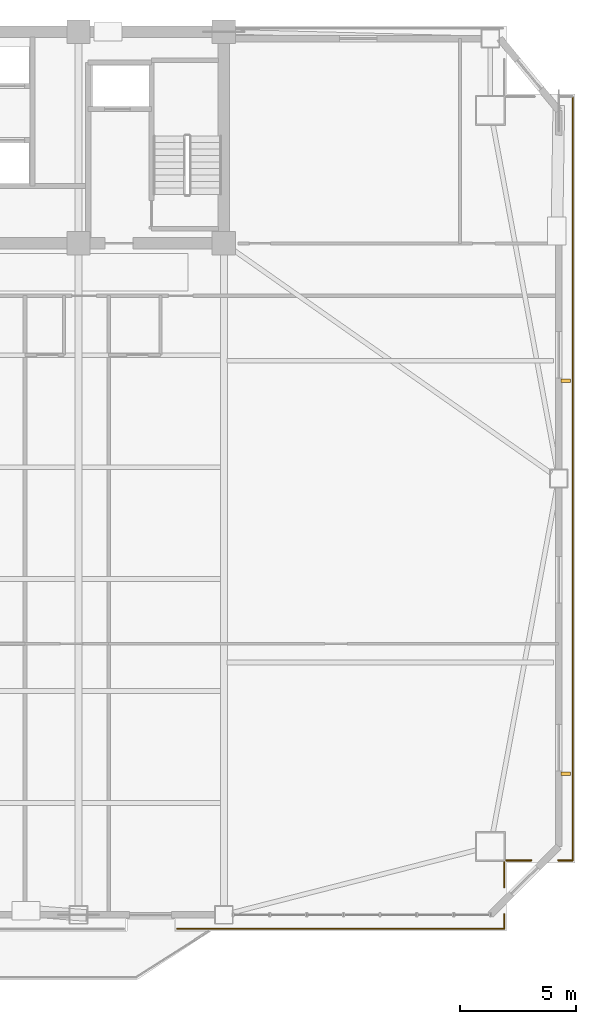
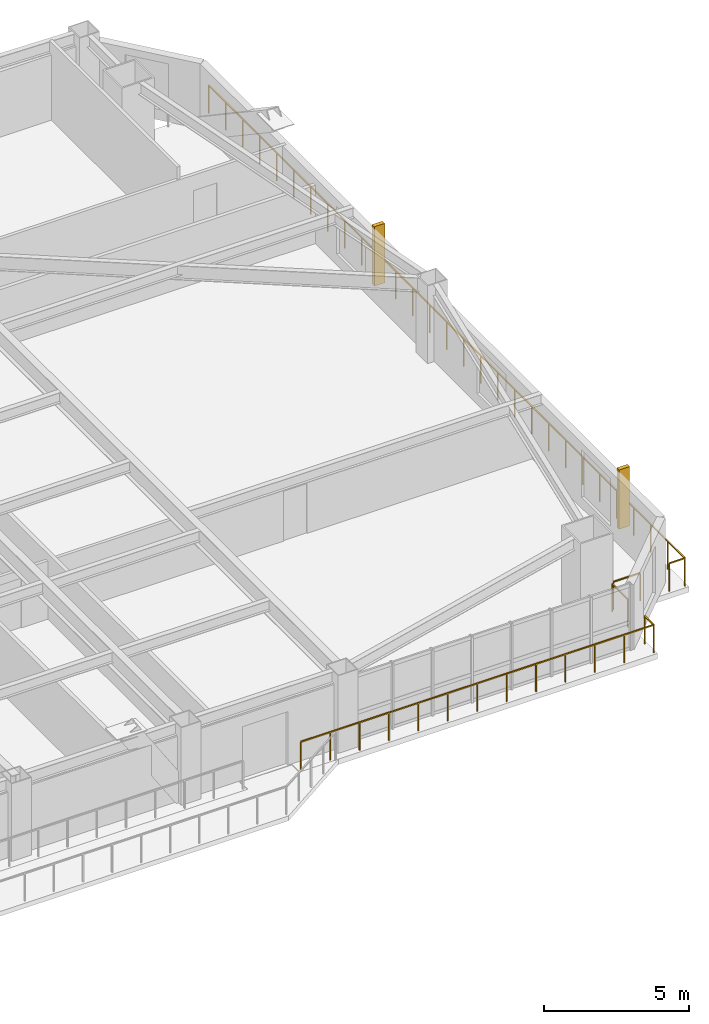
# One storey, part 13 of 15: 6 railings, 2 shading devices.
"""IFC4 building model written with IfcOpenShell, lengths in metres."""

from ifc_helpers import new_model, si_unit, direction, frame, origin, origin_2d, place, context, subcontext, project, spatial, rectangle, extrude, source, transform, mapped, material, type_object, element, save


model = new_model("IFC4")

# Units and contexts
model_context = context("Model", 3, precision=1e-05, world=origin(), true_north=direction((0.0, 1.0)))
body_context = subcontext(model_context, "Body", "Model", "MODEL_VIEW")
ifc_project = project(units=[si_unit("LENGTHUNIT", "METRE"), si_unit("AREAUNIT", "SQUARE_METRE"), si_unit("VOLUMEUNIT", "CUBIC_METRE"), si_unit("PLANEANGLEUNIT", "RADIAN"), si_unit("MASSUNIT", "GRAM", prefix="KILO")], contexts=[model_context])

# Site, building, storey
site_placement = place(None, origin())
site = spatial("IfcSite", under=ifc_project, at=site_placement, CompositionType="ELEMENT")
building_placement = place(site_placement, origin())
building = spatial("IfcBuilding", under=site, at=building_placement, Name="Giltprow Tower", CompositionType="ELEMENT")
storey_placement = place(building_placement, frame((0.0, 0.0, 149.199951171875)))
storey = spatial("IfcBuildingStorey", under=building, at=storey_placement, Name="L36", CompositionType="ELEMENT", Elevation=149.199951171875)

# Railings
ifc_material = material(Name="Anodized bronze", Category="metal")
railing_type = type_object("IfcRailingType", Name="RAIL-BALC-GUARD-1200", PredefinedType="BALUSTRADE", material=ifc_material)
railing_1_placement = place(storey_placement, frame((65.551025390625, 43.760986328125, 0.0)))
element("IfcRailing", 1, at=railing_1_placement, inside=storey, type_object=railing_type, Name="L36 Corner Apron Edge Balustrade 14", PredefinedType="BALUSTRADE", context=body_context, shape_type="SweptSolid", body=[
    extrude(rectangle(XDim=0.048095703125, YDim=0.048095703125, at=origin_2d()), frame((0.0, 0.0, 1.17578125), z_axis=(0.0, -1.0, 0.0), x_axis=(1.0, 0.0, 0.0)), (0.0, 0.0, 1.0), 32.85009765625),
    extrude(rectangle(XDim=0.0419921875, YDim=0.0419921875, at=origin_2d()), origin(), (0.0, 0.0, 1.0), 1.15185546875),
    extrude(rectangle(XDim=0.0419921875, YDim=0.0419921875, at=origin_2d()), frame((0.0, -1.17333984375, 0.0)), (0.0, 0.0, 1.0), 1.15185546875),
    extrude(rectangle(XDim=0.0419921875, YDim=0.0419921875, at=origin_2d()), frame((0.0, -2.346435546875, 0.0)), (0.0, 0.0, 1.0), 1.15185546875),
    extrude(rectangle(XDim=0.0419921875, YDim=0.0419921875, at=origin_2d()), frame((0.0, -3.51953125, 0.0)), (0.0, 0.0, 1.0), 1.15185546875),
    extrude(rectangle(XDim=0.0419921875, YDim=0.0419921875, at=origin_2d()), frame((0.0, -4.69287109375, 0.0)), (0.0, 0.0, 1.0), 1.15185546875),
    extrude(rectangle(XDim=0.0419921875, YDim=0.0419921875, at=origin_2d()), frame((0.0, -5.8662109375, 0.0)), (0.0, 0.0, 1.0), 1.15185546875),
    extrude(rectangle(XDim=0.0419921875, YDim=0.0419921875, at=origin_2d()), frame((0.0, -7.039306640625, 0.0)), (0.0, 0.0, 1.0), 1.15185546875),
    extrude(rectangle(XDim=0.0419921875, YDim=0.0419921875, at=origin_2d()), frame((0.0, -8.21240234375, 0.0)), (0.0, 0.0, 1.0), 1.15185546875),
    extrude(rectangle(XDim=0.0419921875, YDim=0.0419921875, at=origin_2d()), frame((0.0, -9.3857421875, 0.0)), (0.0, 0.0, 1.0), 1.15185546875),
    extrude(rectangle(XDim=0.0419921875, YDim=0.0419921875, at=origin_2d()), frame((0.0, -10.55908203125, 0.0)), (0.0, 0.0, 1.0), 1.15185546875),
    extrude(rectangle(XDim=0.0419921875, YDim=0.0419921875, at=origin_2d()), frame((0.0, -11.732177734375, 0.0)), (0.0, 0.0, 1.0), 1.15185546875),
    extrude(rectangle(XDim=0.0419921875, YDim=0.0419921875, at=origin_2d()), frame((0.0, -12.9052734375, 0.0)), (0.0, 0.0, 1.0), 1.15185546875),
    extrude(rectangle(XDim=0.0419921875, YDim=0.0419921875, at=origin_2d()), frame((0.0, -14.07861328125, 0.0)), (0.0, 0.0, 1.0), 1.15185546875),
    extrude(rectangle(XDim=0.0419921875, YDim=0.0419921875, at=origin_2d()), frame((0.0, -15.251953125, 0.0)), (0.0, 0.0, 1.0), 1.15185546875),
    extrude(rectangle(XDim=0.0419921875, YDim=0.0419921875, at=origin_2d()), frame((0.0, -16.425048828125, 0.0)), (0.0, 0.0, 1.0), 1.15185546875),
    extrude(rectangle(XDim=0.0419921875, YDim=0.0419921875, at=origin_2d()), frame((0.0, -17.59814453125, 0.0)), (0.0, 0.0, 1.0), 1.15185546875),
    extrude(rectangle(XDim=0.0419921875, YDim=0.0419921875, at=origin_2d()), frame((0.0, -18.771484375, 0.0)), (0.0, 0.0, 1.0), 1.15185546875),
    extrude(rectangle(XDim=0.0419921875, YDim=0.0419921875, at=origin_2d()), frame((0.0, -19.94482421875, 0.0)), (0.0, 0.0, 1.0), 1.15185546875),
    extrude(rectangle(XDim=0.0419921875, YDim=0.0419921875, at=origin_2d()), frame((0.0, -21.117919921875, 0.0)), (0.0, 0.0, 1.0), 1.15185546875),
    extrude(rectangle(XDim=0.0419921875, YDim=0.0419921875, at=origin_2d()), frame((0.0, -22.291015625, 0.0)), (0.0, 0.0, 1.0), 1.15185546875),
    extrude(rectangle(XDim=0.0419921875, YDim=0.0419921875, at=origin_2d()), frame((0.0, -23.46435546875, 0.0)), (0.0, 0.0, 1.0), 1.15185546875),
    extrude(rectangle(XDim=0.0419921875, YDim=0.0419921875, at=origin_2d()), frame((0.0, -24.6376953125, 0.0)), (0.0, 0.0, 1.0), 1.15185546875),
    extrude(rectangle(XDim=0.0419921875, YDim=0.0419921875, at=origin_2d()), frame((0.0, -25.810791015625, 0.0)), (0.0, 0.0, 1.0), 1.15185546875),
    extrude(rectangle(XDim=0.0419921875, YDim=0.0419921875, at=origin_2d()), frame((0.0, -26.98388671875, 0.0)), (0.0, 0.0, 1.0), 1.15185546875),
    extrude(rectangle(XDim=0.0419921875, YDim=0.0419921875, at=origin_2d()), frame((0.0, -28.1572265625, 0.0)), (0.0, 0.0, 1.0), 1.15185546875),
    extrude(rectangle(XDim=0.0419921875, YDim=0.0419921875, at=origin_2d()), frame((0.0, -29.33056640625, 0.0)), (0.0, 0.0, 1.0), 1.15185546875),
    extrude(rectangle(XDim=0.0419921875, YDim=0.0419921875, at=origin_2d()), frame((0.0, -30.503662109375, 0.0)), (0.0, 0.0, 1.0), 1.15185546875),
    extrude(rectangle(XDim=0.0419921875, YDim=0.0419921875, at=origin_2d()), frame((0.0, -31.6767578125, 0.0)), (0.0, 0.0, 1.0), 1.15185546875),
    extrude(rectangle(XDim=0.0419921875, YDim=0.0419921875, at=origin_2d()), frame((0.0, -32.85009765625, 0.0)), (0.0, 0.0, 1.0), 1.15185546875),
])
railing_2_placement = place(storey_placement, frame((65.551025390625, 10.910888671875, 0.0)))
element("IfcRailing", 2, at=railing_2_placement, inside=storey, type_object=railing_type, Name="L36 Corner Apron Edge Balustrade 15", PredefinedType="BALUSTRADE", context=body_context, shape_type="SweptSolid", body=[
    extrude(rectangle(XDim=0.048095703125, YDim=0.048095703125, at=origin_2d()), frame((0.0, 0.0, 1.17578125), z_axis=(-1.0, 0.0, 0.0), x_axis=(0.0, -1.0, 0.0)), (0.0, 0.0, 1.0), 0.6201171875),
    extrude(rectangle(XDim=0.0419921875, YDim=0.0419921875, at=origin_2d()), origin(), (0.0, 0.0, 1.0), 1.15185546875),
    extrude(rectangle(XDim=0.0419921875, YDim=0.0419921875, at=origin_2d()), frame((-0.6201171875, 0.0, 0.0)), (0.0, 0.0, 1.0), 1.15185546875),
])
railing_3_placement = place(storey_placement, frame((63.77099609375, 10.910888671875, 0.0)))
element("IfcRailing", 3, at=railing_3_placement, inside=storey, type_object=railing_type, Name="L36 Corner Apron Edge Balustrade 16", PredefinedType="BALUSTRADE", context=body_context, shape_type="SweptSolid", body=[
    extrude(rectangle(XDim=0.048095703125, YDim=0.048095703125, at=origin_2d()), frame((0.0, 0.0, 1.17578125), z_axis=(-1.0, 0.0, 0.0), x_axis=(0.0, -1.0, 0.0)), (0.0, 0.0, 1.0), 1.073974609375),
    extrude(rectangle(XDim=0.0419921875, YDim=0.0419921875, at=origin_2d()), origin(), (0.0, 0.0, 1.0), 1.15185546875),
    extrude(rectangle(XDim=0.0419921875, YDim=0.0419921875, at=origin_2d()), frame((-1.073974609375, 0.0, 0.0)), (0.0, 0.0, 1.0), 1.15185546875),
])
railing_4_placement = place(storey_placement, frame((62.612060546875, 10.825927734375, 0.0)))
element("IfcRailing", 4, at=railing_4_placement, inside=storey, type_object=railing_type, Name="L36 Corner Apron Edge Balustrade 17", PredefinedType="BALUSTRADE", context=body_context, shape_type="SweptSolid", body=[
    extrude(rectangle(XDim=0.048095703125, YDim=0.048095703125, at=origin_2d()), frame((0.0, 0.0, 1.17578125), z_axis=(0.0, -1.0, 0.0), x_axis=(1.0, 0.0, 0.0)), (0.0, 0.0, 1.0), 1.073974609375),
    extrude(rectangle(XDim=0.0419921875, YDim=0.0419921875, at=origin_2d()), origin(), (0.0, 0.0, 1.0), 1.15185546875),
    extrude(rectangle(XDim=0.0419921875, YDim=0.0419921875, at=origin_2d()), frame((0.0, -1.073974609375, 0.0)), (0.0, 0.0, 1.0), 1.15185546875),
])
railing_5_placement = place(storey_placement, frame((62.612060546875, 8.592041015625, 0.0)))
element("IfcRailing", 5, at=railing_5_placement, inside=storey, type_object=railing_type, Name="L36 Corner Apron Edge Balustrade 18", PredefinedType="BALUSTRADE", context=body_context, shape_type="SweptSolid", body=[
    extrude(rectangle(XDim=0.048095703125, YDim=0.048095703125, at=origin_2d()), frame((0.0, 0.0, 1.17578125), z_axis=(0.0, -1.0, 0.0), x_axis=(1.0, 0.0, 0.0)), (0.0, 0.0, 1.0), 0.6201171875),
    extrude(rectangle(XDim=0.0419921875, YDim=0.0419921875, at=origin_2d()), origin(), (0.0, 0.0, 1.0), 1.15185546875),
    extrude(rectangle(XDim=0.0419921875, YDim=0.0419921875, at=origin_2d()), frame((0.0, -0.6201171875, 0.0)), (0.0, 0.0, 1.0), 1.15185546875),
])
railing_6_placement = place(storey_placement, frame((62.612060546875, 7.971923828125, 0.0)))
element("IfcRailing", 6, at=railing_6_placement, inside=storey, type_object=railing_type, Name="L36 Corner Apron Edge Balustrade 19", PredefinedType="BALUSTRADE", context=body_context, shape_type="SweptSolid", body=[
    extrude(rectangle(XDim=0.048095703125, YDim=0.048095703125, at=origin_2d()), frame((0.0, 0.0, 1.17578125), z_axis=(-1.0, 0.0, 0.0), x_axis=(0.0, -1.0, 0.0)), (0.0, 0.0, 1.0), 14.06201171875),
    extrude(rectangle(XDim=0.0419921875, YDim=0.0419921875, at=origin_2d()), origin(), (0.0, 0.0, 1.0), 1.15185546875),
    extrude(rectangle(XDim=0.0419921875, YDim=0.0419921875, at=origin_2d()), frame((-1.171875, 0.0, 0.0)), (0.0, 0.0, 1.0), 1.15185546875),
    extrude(rectangle(XDim=0.0419921875, YDim=0.0419921875, at=origin_2d()), frame((-2.34375, 0.0, 0.0)), (0.0, 0.0, 1.0), 1.15185546875),
    extrude(rectangle(XDim=0.0419921875, YDim=0.0419921875, at=origin_2d()), frame((-3.515625, 0.0, 0.0)), (0.0, 0.0, 1.0), 1.15185546875),
    extrude(rectangle(XDim=0.0419921875, YDim=0.0419921875, at=origin_2d()), frame((-4.687255859375, 0.0, 0.0)), (0.0, 0.0, 1.0), 1.15185546875),
    extrude(rectangle(XDim=0.0419921875, YDim=0.0419921875, at=origin_2d()), frame((-5.859130859375, 0.0, 0.0)), (0.0, 0.0, 1.0), 1.15185546875),
    extrude(rectangle(XDim=0.0419921875, YDim=0.0419921875, at=origin_2d()), frame((-7.031005859375, 0.0, 0.0)), (0.0, 0.0, 1.0), 1.15185546875),
    extrude(rectangle(XDim=0.0419921875, YDim=0.0419921875, at=origin_2d()), frame((-8.202880859375, 0.0, 0.0)), (0.0, 0.0, 1.0), 1.15185546875),
    extrude(rectangle(XDim=0.0419921875, YDim=0.0419921875, at=origin_2d()), frame((-9.374755859375, 0.0, 0.0)), (0.0, 0.0, 1.0), 1.15185546875),
    extrude(rectangle(XDim=0.0419921875, YDim=0.0419921875, at=origin_2d()), frame((-10.54638671875, 0.0, 0.0)), (0.0, 0.0, 1.0), 1.15185546875),
    extrude(rectangle(XDim=0.0419921875, YDim=0.0419921875, at=origin_2d()), frame((-11.71826171875, 0.0, 0.0)), (0.0, 0.0, 1.0), 1.15185546875),
    extrude(rectangle(XDim=0.0419921875, YDim=0.0419921875, at=origin_2d()), frame((-12.89013671875, 0.0, 0.0)), (0.0, 0.0, 1.0), 1.15185546875),
    extrude(rectangle(XDim=0.0419921875, YDim=0.0419921875, at=origin_2d()), frame((-14.06201171875, 0.0, 0.0)), (0.0, 0.0, 1.0), 1.15185546875),
])

# Shading devices
shading_device_type = type_object("IfcShadingDeviceType", Name="SHD-FIN-420", PredefinedType="USERDEFINED", material=ifc_material)
shared_shape = source(origin(), body_context, "Body", "SweptSolid", [
    extrude(rectangle(XDim=0.419921875, YDim=0.159912109375, at=origin_2d()), origin(), (0.0, 0.0, 1.0), 2.5),
])
for number, where, z_axis, x_axis, name in (
    (7, (65.2509765625, 14.64208984375, 0.35009765625), (0.0, 0.0, 1.0), (1.0, 0.0, 0.0), "L36 E Bronze Vertical Fin 1-1"),
    (8, (65.2509765625, 31.534912109375, 0.35009765625), (0.0, 0.0, 1.0), (1.0, 0.0, 0.0), "L36 E Bronze Vertical Fin 2-1"),
):
    element("IfcShadingDevice", number, at=place(storey_placement, frame(where, z_axis=z_axis, x_axis=x_axis)), inside=storey, type_object=shading_device_type, Name=name, ObjectType="FIN", PredefinedType="USERDEFINED", context=body_context, shape_type="MappedRepresentation", body=[
        mapped(shared_shape, transform((0.0, 0.0, 0.0), x_axis=(1.0, 0.0, 0.0), y_axis=(0.0, 1.0, 0.0), z_axis=(0.0, 0.0, 1.0), scale=1.0)),
    ])

save(model, "model.ifc")
